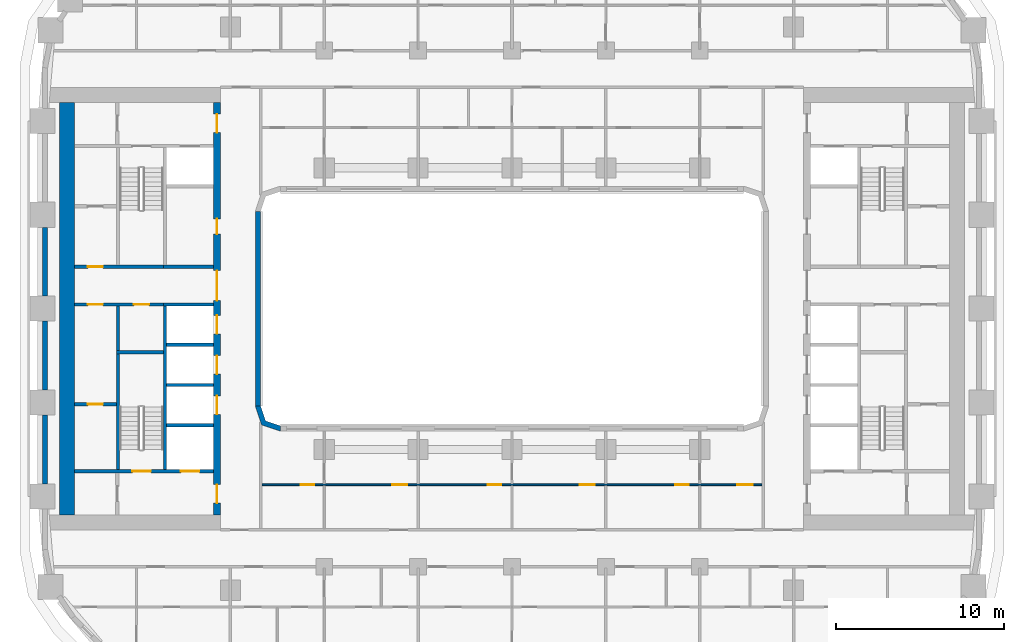
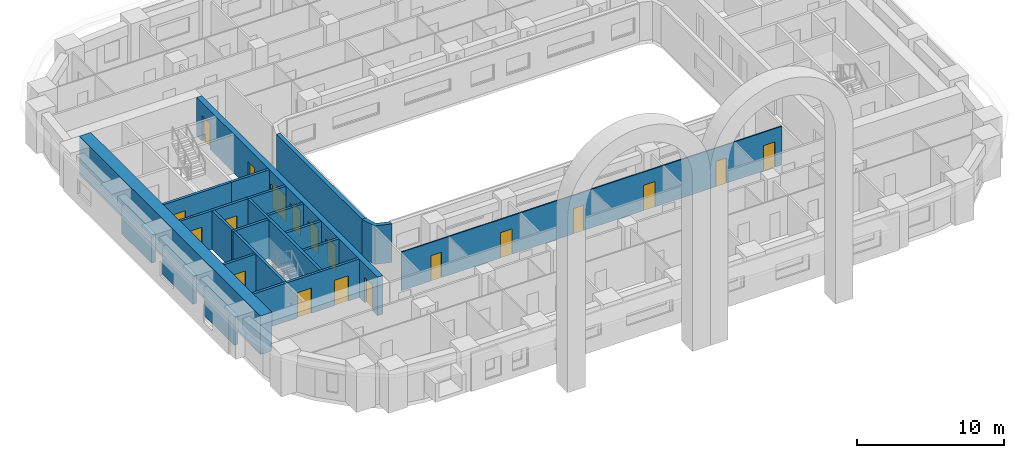
# One storey, part 4 of 21: 21 walls, 19 doors, 19 openings.
"""IFC4 building model written with IfcOpenShell, lengths in metres."""

from ifc_helpers import new_model, si_unit, direction, frame, frame_2d, origin, place, context, subcontext, project, spatial, polyline, rectangle, outline, extrude, material, layer, layer_set, type_object, element, fill, save


model = new_model("IFC4")

# Units and contexts
model_context = context("Model", 3, precision=1e-05, world=origin(), true_north=direction((0.0, 1.0)))
body_context = subcontext(model_context, "Body", "Model", "MODEL_VIEW")
ifc_project = project(units=[si_unit("LENGTHUNIT", "METRE"), si_unit("AREAUNIT", "SQUARE_METRE"), si_unit("VOLUMEUNIT", "CUBIC_METRE"), si_unit("PLANEANGLEUNIT", "RADIAN"), si_unit("MASSUNIT", "GRAM", prefix="KILO")], contexts=[model_context])

# Site, building, storey
site_placement = place(None, origin())
site = spatial("IfcSite", under=ifc_project, at=site_placement, CompositionType="ELEMENT")
building_placement = place(site_placement, origin())
building = spatial("IfcBuilding", under=site, at=building_placement, Name="Kiln Ring Residences", CompositionType="ELEMENT")
storey_placement = place(building_placement, frame((0.0, 0.0, 51.5)))
storey = spatial("IfcBuildingStorey", under=building, at=storey_placement, Name="L12", CompositionType="ELEMENT", Elevation=51.5)

# Wall
ifc_material_1 = material(Name="Gypsum board on steel studs", Category="steel")
ifc_layer_1 = layer(ifc_material_1, 0.199951171875)
ifc_layer_set_1 = layer_set([ifc_layer_1], Name="CORE-PARTITION-200")
wall_type_1 = type_object("IfcWallType", Name="CORE-PARTITION-200", PredefinedType="PARTITIONING", material=ifc_layer_set_1)
wall_1_placement = place(storey_placement, frame((-23.5, -2.5, 0.0), z_axis=(0.0, 0.0, 1.0), x_axis=(0.0, 1.0, 0.0)))
element("IfcWall", 1, at=wall_1_placement, inside=storey, type_object=wall_type_1, Name="Core partition west L12 1", PredefinedType="PARTITIONING", context=body_context, shape_type="SweptSolid", body=[
    extrude(rectangle(XDim=2.64990234375, YDim=0.199951171875, at=frame_2d((1.324951171875, 0.0))), origin(), (0.0, 0.0, 1.0), 3.199951171875),
])

# Wall, openings, doors
wall_2_placement = place(storey_placement, frame((-20.800048828125, 0.25, 0.0), z_axis=(0.0, 0.0, 1.0), x_axis=(-1.0, 0.0, 0.0)))
wall_2 = element("IfcWall", 2, at=wall_2_placement, inside=storey, type_object=wall_type_1, Name="Core partition west L12 2", PredefinedType="PARTITIONING", context=body_context, shape_type="SweptSolid", body=[
    extrude(rectangle(XDim=5.300048828125, YDim=0.199951171875, at=frame_2d((2.64990234375, 0.0))), origin(), (0.0, 0.0, 1.0), 3.199951171875),
])
opening_1_placement = place(wall_2_placement, frame((0.85009765625, 0.0, 0.0)))
opening_1 = element("IfcOpeningElement", 3, at=opening_1_placement, cuts=wall_2, Name="Opening L12-CW14", PredefinedType="OPENING", context=body_context, shape_type="SweptSolid", body=[
    extrude(rectangle(XDim=0.89990234375, YDim=2.10009765625, at=frame_2d((0.449951171875, 1.050048828125))), frame((0.0, 0.10986328125, 0.0), z_axis=(0.0, -1.0, 0.0), x_axis=(1.0, 0.0, 0.0)), (0.0, 0.0, 1.0), 0.219970703125),
])
opening_2_placement = place(wall_2_placement, frame((3.60009765625, 0.0, 0.0)))
opening_2 = element("IfcOpeningElement", 4, at=opening_2_placement, cuts=wall_2, Name="Opening L12-CW16", PredefinedType="OPENING", context=body_context, shape_type="SweptSolid", body=[
    extrude(rectangle(XDim=0.89990234375, YDim=2.10009765625, at=frame_2d((0.449951171875, 1.050048828125))), frame((0.0, 0.10986328125, 0.0), z_axis=(0.0, -1.0, 0.0), x_axis=(1.0, 0.0, 0.0)), (0.0, 0.0, 1.0), 0.219970703125),
])
ifc_material_2 = material(Name="Steel door leaf", Category="steel")
door_type_1 = type_object("IfcDoorType", Name="CORE-DOOR-ROOM", OperationType="SINGLE_SWING_LEFT", PredefinedType="DOOR", material=ifc_material_2)
door_1_placement = place(opening_1_placement, origin())
door_1 = element("IfcDoor", 5, at=door_1_placement, inside=storey, type_object=door_type_1, Name="Housekeeping store L12-CW14", OperationType="SINGLE_SWING_RIGHT", OverallHeight=2.10009765625, OverallWidth=0.89990234375, PredefinedType="DOOR", context=body_context, shape_type="SweptSolid", body=[
    extrude(rectangle(XDim=0.89990234375, YDim=2.10009765625, at=frame_2d((0.449951171875, 1.050048828125))), frame((0.0, 0.02490234375, 0.0), z_axis=(0.0, -1.0, 0.0), x_axis=(1.0, 0.0, 0.0)), (0.0, 0.0, 1.0), 0.050048828125),
])
fill(opening_1, door_1)
door_2_placement = place(opening_2_placement, origin())
door_2 = element("IfcDoor", 6, at=door_2_placement, inside=storey, type_object=door_type_1, Name="Battery room L12-CW16", OperationType="SINGLE_SWING_RIGHT", OverallHeight=2.10009765625, OverallWidth=0.89990234375, PredefinedType="DOOR", context=body_context, shape_type="SweptSolid", body=[
    extrude(rectangle(XDim=0.89990234375, YDim=2.10009765625, at=frame_2d((0.449951171875, 1.050048828125))), frame((0.0, 0.02490234375, 0.0), z_axis=(0.0, -1.0, 0.0), x_axis=(1.0, 0.0, 0.0)), (0.0, 0.0, 1.0), 0.050048828125),
])
fill(opening_2, door_2)

# Wall, opening, door
wall_3_placement = place(storey_placement, frame((-23.60009765625, -5.699951171875, 0.0), z_axis=(0.0, 0.0, 1.0), x_axis=(-1.0, 0.0, 0.0)))
wall_3 = element("IfcWall", 7, at=wall_3_placement, inside=storey, type_object=wall_type_1, Name="Core partition west L12 5", PredefinedType="PARTITIONING", context=body_context, shape_type="SweptSolid", body=[
    extrude(rectangle(XDim=2.5, YDim=0.199951171875, at=frame_2d((1.25, 0.0))), origin(), (0.0, 0.0, 1.0), 3.199951171875),
])
opening_3_placement = place(wall_3_placement, frame((0.800048828125, 0.0, 0.0)))
opening_3 = element("IfcOpeningElement", 8, at=opening_3_placement, cuts=wall_3, Name="Opening L12-CW15", PredefinedType="OPENING", context=body_context, shape_type="SweptSolid", body=[
    extrude(rectangle(XDim=0.89990234375, YDim=2.10009765625, at=frame_2d((0.449951171875, 1.050048828125))), frame((0.0, 0.10986328125, 0.0), z_axis=(0.0, -1.0, 0.0), x_axis=(1.0, 0.0, 0.0)), (0.0, 0.0, 1.0), 0.219970703125),
])
door_3_placement = place(opening_3_placement, origin())
door_3 = element("IfcDoor", 9, at=door_3_placement, inside=storey, type_object=door_type_1, Name="Battery room L12-CW15", OperationType="SINGLE_SWING_RIGHT", OverallHeight=2.10009765625, OverallWidth=0.89990234375, PredefinedType="DOOR", context=body_context, shape_type="SweptSolid", body=[
    extrude(rectangle(XDim=0.89990234375, YDim=2.10009765625, at=frame_2d((0.449951171875, 1.050048828125))), frame((0.0, 0.02490234375, 0.0), z_axis=(0.0, -1.0, 0.0), x_axis=(1.0, 0.0, 0.0)), (0.0, 0.0, 1.0), 0.050048828125),
])
fill(opening_3, door_3)

# Walls
ifc_material_3 = material(Name="Gypsum shaft wall system")
ifc_layer_2 = layer(ifc_material_3, 0.199951171875)
ifc_layer_set_2 = layer_set([ifc_layer_2], Name="CORE-SHAFT-WALL-200")
wall_type_2 = type_object("IfcWallType", Name="CORE-SHAFT-WALL-200", PredefinedType="PARTITIONING", material=ifc_layer_set_2)
for number, where, z_axis, x_axis, name in (
    (10, (-17.800048828125, -6.949951171875, 0.0), (0.0, 0.0, 1.0), (-1.0, 0.0, 0.0), "Core partition west L12 7"),
    (11, (-17.800048828125, -4.550048828125, 0.0), (0.0, 0.0, 1.0), (-1.0, 0.0, 0.0), "Core partition west L12 8"),
    (12, (-17.800048828125, -2.14990234375, 0.0), (0.0, 0.0, 1.0), (-1.0, 0.0, 0.0), "Core partition west L12 9"),
):
    element("IfcWall", number, at=place(storey_placement, frame(where, z_axis=z_axis, x_axis=x_axis)), inside=storey, type_object=wall_type_2, Name=name, PredefinedType="PARTITIONING", context=body_context, shape_type="SweptSolid", body=[
        extrude(rectangle(XDim=2.800048828125, YDim=0.199951171875, at=frame_2d((1.39990234375, 0.0))), origin(), (0.0, 0.0, 1.0), 3.199951171875),
    ])
for number, where, z_axis, x_axis, name in (
    (13, (-17.800048828125, 0.25, 0.0), (0.0, 0.0, 1.0), (-1.0, 0.0, 0.0), "Core partition west L12 10"),
    (14, (-17.800048828125, 2.5, 0.0), (0.0, 0.0, 1.0), (-1.0, 0.0, 0.0), "Core partition west L12 11"),
):
    element("IfcWall", number, at=place(storey_placement, frame(where, z_axis=z_axis, x_axis=x_axis)), inside=storey, type_object=wall_type_2, Name=name, PredefinedType="PARTITIONING", context=body_context, shape_type="SweptSolid", body=[
        extrude(rectangle(XDim=3.0, YDim=0.199951171875, at=frame_2d((1.5, 0.0))), origin(), (0.0, 0.0, 1.0), 3.199951171875),
    ])
ifc_material_4 = material(Name="Concrete C40/50", Category="concrete")
ifc_layer_3 = layer(ifc_material_4, 0.199951171875)
ifc_layer_set_3 = layer_set([ifc_layer_3], Name="CORE-WALL-RC200")
wall_type_3 = type_object("IfcWallType", Name="CORE-WALL-RC200", PredefinedType="SHEAR", material=ifc_layer_set_3)
wall_4_placement = place(storey_placement, frame((-20.699951171875, -9.60009765625, 0.0), z_axis=(0.0, 0.0, 1.0), x_axis=(0.0, 1.0, 0.0)))
element("IfcWall", 15, at=wall_4_placement, inside=storey, type_object=wall_type_3, Name="Core wall west L12 2", PredefinedType="SHEAR", context=body_context, shape_type="SweptSolid", body=[
    extrude(rectangle(XDim=9.75, YDim=0.199951171875, at=frame_2d((4.875, 0.0))), origin(), (0.0, 0.0, 1.0), 3.199951171875),
])

# Wall, opening, door
wall_5_placement = place(storey_placement, frame((-20.800048828125, 2.5, 0.0), z_axis=(0.0, 0.0, 1.0), x_axis=(-1.0, 0.0, 0.0)))
wall_5 = element("IfcWall", 16, at=wall_5_placement, inside=storey, type_object=wall_type_3, Name="Core wall west L12 3", PredefinedType="SHEAR", context=body_context, shape_type="SweptSolid", body=[
    extrude(rectangle(XDim=5.300048828125, YDim=0.199951171875, at=frame_2d((2.64990234375, 0.0))), origin(), (0.0, 0.0, 1.0), 3.199951171875),
])
opening_4_placement = place(wall_5_placement, frame((3.60009765625, 0.0, 0.0)))
opening_4 = element("IfcOpeningElement", 17, at=opening_4_placement, cuts=wall_5, Name="Opening L12-CW18", PredefinedType="OPENING", context=body_context, shape_type="SweptSolid", body=[
    extrude(rectangle(XDim=0.89990234375, YDim=2.10009765625, at=frame_2d((0.449951171875, 1.050048828125))), frame((0.0, 0.10986328125, 0.0), z_axis=(0.0, -1.0, 0.0), x_axis=(1.0, 0.0, 0.0)), (0.0, 0.0, 1.0), 0.219970703125),
])
door_4_placement = place(opening_4_placement, origin())
door_4 = element("IfcDoor", 18, at=door_4_placement, inside=storey, type_object=door_type_1, Name="Comms room L12-CW18", OperationType="SINGLE_SWING_LEFT", OverallHeight=2.10009765625, OverallWidth=0.89990234375, PredefinedType="DOOR", context=body_context, shape_type="SweptSolid", body=[
    extrude(rectangle(XDim=0.89990234375, YDim=2.10009765625, at=frame_2d((0.449951171875, 1.050048828125))), frame((0.0, 0.02490234375, 0.0), z_axis=(0.0, -1.0, 0.0), x_axis=(1.0, 0.0, 0.0)), (0.0, 0.0, 1.0), 0.050048828125),
])
fill(opening_4, door_4)

# Wall, openings, doors
wall_6_placement = place(storey_placement, frame((-17.800048828125, -9.699951171875, 0.0), z_axis=(0.0, 0.0, 1.0), x_axis=(-1.0, 0.0, 0.0)))
wall_6 = element("IfcWall", 19, at=wall_6_placement, inside=storey, type_object=wall_type_3, Name="Core wall west L12 8", PredefinedType="SHEAR", context=body_context, shape_type="SweptSolid", body=[
    extrude(rectangle(XDim=8.300048828125, YDim=0.199951171875, at=frame_2d((4.14990234375, 0.0))), origin(), (0.0, 0.0, 1.0), 3.199951171875),
])
opening_5_placement = place(wall_6_placement, frame((0.85009765625, 0.0, 0.0)))
opening_5 = element("IfcOpeningElement", 20, at=opening_5_placement, cuts=wall_6, Name="Opening L12-CW01", PredefinedType="OPENING", context=body_context, shape_type="SweptSolid", body=[
    extrude(rectangle(XDim=1.10009765625, YDim=2.10009765625, at=frame_2d((0.550048828125, 1.050048828125))), frame((0.0, 0.10986328125, 0.0), z_axis=(0.0, -1.0, 0.0), x_axis=(1.0, 0.0, 0.0)), (0.0, 0.0, 1.0), 0.219970703125),
])
opening_6_placement = place(wall_6_placement, frame((3.75, 0.0, 0.0)))
opening_6 = element("IfcOpeningElement", 21, at=opening_6_placement, cuts=wall_6, Name="Opening L12-CW12", PredefinedType="OPENING", context=body_context, shape_type="SweptSolid", body=[
    extrude(rectangle(XDim=1.10009765625, YDim=2.10009765625, at=frame_2d((0.550048828125, 1.050048828125))), frame((0.0, 0.10986328125, 0.0), z_axis=(0.0, -1.0, 0.0), x_axis=(1.0, 0.0, 0.0)), (0.0, 0.0, 1.0), 0.219970703125),
])
ifc_material_5 = material(Name="Steel door leaf", Category="steel")
door_type_2 = type_object("IfcDoorType", Name="CORE-DOOR-LD", OperationType="DOUBLE_DOOR_SLIDING", PredefinedType="DOOR", material=ifc_material_5)
door_5_placement = place(opening_5_placement, origin())
door_5 = element("IfcDoor", 22, at=door_5_placement, inside=storey, type_object=door_type_2, Name="LD W-SV L12-CW01", OperationType="DOUBLE_DOOR_SLIDING", OverallHeight=2.10009765625, OverallWidth=1.10009765625, PredefinedType="DOOR", context=body_context, shape_type="SweptSolid", body=[
    extrude(rectangle(XDim=1.10009765625, YDim=2.10009765625, at=frame_2d((0.550048828125, 1.050048828125))), frame((0.0, 0.02490234375, 0.0), z_axis=(0.0, -1.0, 0.0), x_axis=(1.0, 0.0, 0.0)), (0.0, 0.0, 1.0), 0.050048828125),
])
fill(opening_5, door_5)
ifc_material_6 = material(Name="Steel door leaf", Category="steel")
door_type_3 = type_object("IfcDoorType", Name="CORE-DOOR-STAIR", OperationType="SINGLE_SWING_LEFT", PredefinedType="DOOR", material=ifc_material_6)
door_6_placement = place(opening_6_placement, origin())
door_6 = element("IfcDoor", 23, at=door_6_placement, inside=storey, type_object=door_type_3, Name="Stair W-STS L12-CW12", OperationType="SINGLE_SWING_LEFT", OverallHeight=2.10009765625, OverallWidth=1.10009765625, PredefinedType="DOOR", context=body_context, shape_type="SweptSolid", body=[
    extrude(rectangle(XDim=1.10009765625, YDim=2.10009765625, at=frame_2d((0.550048828125, 1.050048828125))), frame((0.0, 0.02490234375, 0.0), z_axis=(0.0, -1.0, 0.0), x_axis=(1.0, 0.0, 0.0)), (0.0, 0.0, 1.0), 0.050048828125),
])
fill(opening_6, door_6)

# Walls
wall_7_placement = place(storey_placement, frame((-23.5, -9.60009765625, 0.0), z_axis=(0.0, 0.0, 1.0), x_axis=(0.0, 1.0, 0.0)))
element("IfcWall", 24, at=wall_7_placement, inside=storey, type_object=wall_type_3, Name="Core wall west L12 11", PredefinedType="SHEAR", context=body_context, shape_type="SweptSolid", body=[
    extrude(rectangle(XDim=6.900146484375, YDim=0.199951171875, at=frame_2d((3.4501953125, 0.0))), origin(), (0.0, 0.0, 1.0), 3.199951171875),
])
wall_8_placement = place(storey_placement, frame((-20.800048828125, -2.60009765625, 0.0), z_axis=(0.0, 0.0, 1.0), x_axis=(-1.0, 0.0, 0.0)))
element("IfcWall", 25, at=wall_8_placement, inside=storey, type_object=wall_type_3, Name="Core wall west L12 12", PredefinedType="SHEAR", context=body_context, shape_type="SweptSolid", body=[
    extrude(rectangle(XDim=2.800048828125, YDim=0.199951171875, at=frame_2d((1.39990234375, 0.0))), origin(), (0.0, 0.0, 1.0), 3.199951171875),
])

# Wall, openings, doors
ifc_material_7 = material(Name="Concrete C60/75", Category="concrete")
ifc_layer_4 = layer(ifc_material_7, 0.39990234375)
ifc_layer_set_4 = layer_set([ifc_layer_4], Name="CORE-WALL-RC400")
wall_type_4 = type_object("IfcWallType", Name="CORE-WALL-RC400", PredefinedType="SHEAR", material=ifc_layer_set_4)
wall_9_placement = place(storey_placement, frame((-17.60009765625, -12.300048828125, 0.0), z_axis=(0.0, 0.0, 1.0), x_axis=(0.0, 1.0, 0.0)))
wall_9 = element("IfcWall", 26, at=wall_9_placement, inside=storey, type_object=wall_type_4, Name="Core wall west L12 6", PredefinedType="SHEAR", context=body_context, shape_type="SweptSolid", body=[
    extrude(rectangle(XDim=24.60009765625, YDim=0.39990234375, at=frame_2d((12.300048828125, 0.0))), origin(), (0.0, 0.0, 1.0), 3.199951171875),
])
opening_7_placement = place(wall_9_placement, frame((6.0, 0.0, 0.0)))
opening_7 = element("IfcOpeningElement", 27, at=opening_7_placement, cuts=wall_9, Name="Opening L12-CW02", PredefinedType="OPENING", context=body_context, shape_type="SweptSolid", body=[
    extrude(rectangle(XDim=1.10009765625, YDim=2.10009765625, at=frame_2d((0.550048828125, 1.050048828125))), frame((0.0, 0.2099609375, 0.0), z_axis=(0.0, -1.0, 0.0), x_axis=(1.0, 0.0, 0.0)), (0.0, 0.0, 1.0), 0.419921875),
])
opening_8_placement = place(wall_9_placement, frame((8.39990234375, 0.0, 0.0)))
opening_8 = element("IfcOpeningElement", 28, at=opening_8_placement, cuts=wall_9, Name="Opening L12-CW03", PredefinedType="OPENING", context=body_context, shape_type="SweptSolid", body=[
    extrude(rectangle(XDim=1.10009765625, YDim=2.10009765625, at=frame_2d((0.550048828125, 1.050048828125))), frame((0.0, 0.2099609375, 0.0), z_axis=(0.0, -1.0, 0.0), x_axis=(1.0, 0.0, 0.0)), (0.0, 0.0, 1.0), 0.419921875),
])
opening_9_placement = place(wall_9_placement, frame((10.800048828125, 0.0, 0.0)))
opening_9 = element("IfcOpeningElement", 29, at=opening_9_placement, cuts=wall_9, Name="Opening L12-CW04", PredefinedType="OPENING", context=body_context, shape_type="SweptSolid", body=[
    extrude(rectangle(XDim=1.10009765625, YDim=2.10009765625, at=frame_2d((0.550048828125, 1.050048828125))), frame((0.0, 0.2099609375, 0.0), z_axis=(0.0, -1.0, 0.0), x_axis=(1.0, 0.0, 0.0)), (0.0, 0.0, 1.0), 0.419921875),
])
opening_10_placement = place(wall_9_placement, frame((16.75, 0.0, 0.0)))
opening_10 = element("IfcOpeningElement", 30, at=opening_10_placement, cuts=wall_9, Name="Opening L12-CW05", PredefinedType="OPENING", context=body_context, shape_type="SweptSolid", body=[
    extrude(rectangle(XDim=0.89990234375, YDim=2.10009765625, at=frame_2d((0.449951171875, 1.050048828125))), frame((0.0, 0.2099609375, 0.0), z_axis=(0.0, -1.0, 0.0), x_axis=(1.0, 0.0, 0.0)), (0.0, 0.0, 1.0), 0.419921875),
])
opening_11_placement = place(wall_9_placement, frame((22.800048828125, 0.0, 0.0)))
opening_11 = element("IfcOpeningElement", 31, at=opening_11_placement, cuts=wall_9, Name="Opening L12-CW07", PredefinedType="OPENING", context=body_context, shape_type="SweptSolid", body=[
    extrude(rectangle(XDim=1.10009765625, YDim=2.10009765625, at=frame_2d((0.550048828125, 1.050048828125))), frame((0.0, 0.2099609375, 0.0), z_axis=(0.0, -1.0, 0.0), x_axis=(1.0, 0.0, 0.0)), (0.0, 0.0, 1.0), 0.419921875),
])
opening_12_placement = place(wall_9_placement, frame((0.699951171875, 0.0, 0.0)))
opening_12 = element("IfcOpeningElement", 32, at=opening_12_placement, cuts=wall_9, Name="Opening L12-CW08", PredefinedType="OPENING", context=body_context, shape_type="SweptSolid", body=[
    extrude(rectangle(XDim=1.10009765625, YDim=2.10009765625, at=frame_2d((0.550048828125, 1.050048828125))), frame((0.0, 0.2099609375, 0.0), z_axis=(0.0, -1.0, 0.0), x_axis=(1.0, 0.0, 0.0)), (0.0, 0.0, 1.0), 0.419921875),
])
opening_13_placement = place(wall_9_placement, frame((12.77490234375, 0.0, 0.0)))
opening_13 = element("IfcOpeningElement", 33, at=opening_13_placement, cuts=wall_9, Name="Opening L12-CW13", PredefinedType="OPENING", context=body_context, shape_type="SweptSolid", body=[
    extrude(rectangle(XDim=1.800048828125, YDim=2.10009765625, at=frame_2d((0.89990234375, 1.050048828125))), frame((0.0, 0.2099609375, 0.0), z_axis=(0.0, -1.0, 0.0), x_axis=(1.0, 0.0, 0.0)), (0.0, 0.0, 1.0), 0.419921875),
])
door_7_placement = place(opening_7_placement, origin())
door_7 = element("IfcDoor", 34, at=door_7_placement, inside=storey, type_object=door_type_2, Name="LD W-L1 L12-CW02", OperationType="DOUBLE_DOOR_SLIDING", OverallHeight=2.10009765625, OverallWidth=1.10009765625, PredefinedType="DOOR", context=body_context, shape_type="SweptSolid", body=[
    extrude(rectangle(XDim=1.10009765625, YDim=2.10009765625, at=frame_2d((0.550048828125, 1.050048828125))), frame((0.0, 0.02490234375, 0.0), z_axis=(0.0, -1.0, 0.0), x_axis=(1.0, 0.0, 0.0)), (0.0, 0.0, 1.0), 0.050048828125),
])
fill(opening_7, door_7)
door_8_placement = place(opening_8_placement, origin())
door_8 = element("IfcDoor", 35, at=door_8_placement, inside=storey, type_object=door_type_2, Name="LD W-L2 L12-CW03", OperationType="DOUBLE_DOOR_SLIDING", OverallHeight=2.10009765625, OverallWidth=1.10009765625, PredefinedType="DOOR", context=body_context, shape_type="SweptSolid", body=[
    extrude(rectangle(XDim=1.10009765625, YDim=2.10009765625, at=frame_2d((0.550048828125, 1.050048828125))), frame((0.0, 0.02490234375, 0.0), z_axis=(0.0, -1.0, 0.0), x_axis=(1.0, 0.0, 0.0)), (0.0, 0.0, 1.0), 0.050048828125),
])
fill(opening_8, door_8)
door_9_placement = place(opening_9_placement, origin())
door_9 = element("IfcDoor", 36, at=door_9_placement, inside=storey, type_object=door_type_2, Name="LD W-L3 L12-CW04", OperationType="DOUBLE_DOOR_SLIDING", OverallHeight=2.10009765625, OverallWidth=1.10009765625, PredefinedType="DOOR", context=body_context, shape_type="SweptSolid", body=[
    extrude(rectangle(XDim=1.10009765625, YDim=2.10009765625, at=frame_2d((0.550048828125, 1.050048828125))), frame((0.0, 0.02490234375, 0.0), z_axis=(0.0, -1.0, 0.0), x_axis=(1.0, 0.0, 0.0)), (0.0, 0.0, 1.0), 0.050048828125),
])
fill(opening_9, door_9)
ifc_material_8 = material(Name="Steel door leaf", Category="steel")
door_type_4 = type_object("IfcDoorType", Name="CORE-DOOR-LOBBY", OperationType="SINGLE_SWING_LEFT", PredefinedType="DOOR", material=ifc_material_8)
door_10_placement = place(opening_11_placement, origin())
door_10 = element("IfcDoor", 37, at=door_10_placement, inside=storey, type_object=door_type_4, Name="FFL L12-CW07", OperationType="SINGLE_SWING_RIGHT", OverallHeight=2.10009765625, OverallWidth=1.10009765625, PredefinedType="DOOR", context=body_context, shape_type="SweptSolid", body=[
    extrude(rectangle(XDim=1.10009765625, YDim=2.10009765625, at=frame_2d((0.550048828125, 1.050048828125))), frame((0.0, 0.02490234375, 0.0), z_axis=(0.0, -1.0, 0.0), x_axis=(1.0, 0.0, 0.0)), (0.0, 0.0, 1.0), 0.050048828125),
])
fill(opening_11, door_10)
door_11_placement = place(opening_12_placement, origin())
door_11 = element("IfcDoor", 38, at=door_11_placement, inside=storey, type_object=door_type_4, Name="SVL L12-CW08", OperationType="SINGLE_SWING_LEFT", OverallHeight=2.10009765625, OverallWidth=1.10009765625, PredefinedType="DOOR", context=body_context, shape_type="SweptSolid", body=[
    extrude(rectangle(XDim=1.10009765625, YDim=2.10009765625, at=frame_2d((0.550048828125, 1.050048828125))), frame((0.0, 0.02490234375, 0.0), z_axis=(0.0, -1.0, 0.0), x_axis=(1.0, 0.0, 0.0)), (0.0, 0.0, 1.0), 0.050048828125),
])
fill(opening_12, door_11)
ifc_material_9 = material(Name="Steel door leaf", Category="steel")
door_type_5 = type_object("IfcDoorType", Name="CORE-DOOR-PASS", OperationType="DOUBLE_DOOR_SINGLE_SWING", PredefinedType="DOOR", material=ifc_material_9)
door_12_placement = place(opening_13_placement, origin())
door_12 = element("IfcDoor", 39, at=door_12_placement, inside=storey, type_object=door_type_5, Name="Core passage L12-CW13", OperationType="DOUBLE_DOOR_SINGLE_SWING", OverallHeight=2.10009765625, OverallWidth=1.800048828125, PredefinedType="DOOR", context=body_context, shape_type="SweptSolid", body=[
    extrude(rectangle(XDim=1.800048828125, YDim=2.10009765625, at=frame_2d((0.89990234375, 1.050048828125))), frame((0.0, 0.02490234375, 0.0), z_axis=(0.0, -1.0, 0.0), x_axis=(1.0, 0.0, 0.0)), (0.0, 0.0, 1.0), 0.050048828125),
])
fill(opening_13, door_12)
door_13_placement = place(opening_10_placement, origin())
door_13 = element("IfcDoor", 40, at=door_13_placement, inside=storey, type_object=door_type_1, Name="Locker store L12-CW05", OperationType="SINGLE_SWING_LEFT", OverallHeight=2.10009765625, OverallWidth=0.89990234375, PredefinedType="DOOR", context=body_context, shape_type="SweptSolid", body=[
    extrude(rectangle(XDim=0.89990234375, YDim=2.10009765625, at=frame_2d((0.449951171875, 1.050048828125))), frame((0.0, 0.02490234375, 0.0), z_axis=(0.0, -1.0, 0.0), x_axis=(1.0, 0.0, 0.0)), (0.0, 0.0, 1.0), 0.050048828125),
])
fill(opening_10, door_13)

# Walls
ifc_material_10 = material(Name="Concrete C60/75", Category="concrete")
ifc_layer_5 = layer(ifc_material_10, 0.89990234375)
ifc_layer_set_5 = layer_set([ifc_layer_5], Name="CORE-WALL-RC900")
wall_type_5 = type_object("IfcWallType", Name="CORE-WALL-RC900", PredefinedType="SHEAR", material=ifc_layer_set_5)
wall_10_placement = place(storey_placement, frame((-26.550048828125, -12.300048828125, 0.0), z_axis=(0.0, 0.0, 1.0), x_axis=(0.0, 1.0, 0.0)))
element("IfcWall", 41, at=wall_10_placement, inside=storey, type_object=wall_type_5, Name="Core wall west L12 7", PredefinedType="SHEAR", context=body_context, shape_type="SweptSolid", body=[
    extrude(rectangle(XDim=24.60009765625, YDim=0.89990234375, at=frame_2d((12.300048828125, 0.0))), origin(), (0.0, 0.0, 1.0), 3.199951171875),
])
ifc_material_11 = material(Name="Brick masonry, dark clay brick", Category="masonry")
ifc_layer_6 = layer(ifc_material_11, 0.300048828125)
ifc_layer_set_6 = layer_set([ifc_layer_6], Name="EW-300 BRICK WALL")
wall_type_6 = type_object("IfcWallType", Name="EW-300 BRICK WALL", PredefinedType="SOLIDWALL", material=ifc_layer_set_6)
for number, where, z_axis, x_axis, name in (
    (42, (-27.85009765625, 4.85009765625, 0.0), (0.0, 0.0, 1.0), (0.0, -1.0, 0.0), "Facade wall L12 43"),
    (43, (-27.85009765625, -0.75, 0.0), (0.0, 0.0, 1.0), (0.0, -1.0, 0.0), "Facade wall L12 44"),
):
    element("IfcWall", number, at=place(storey_placement, frame(where, z_axis=z_axis, x_axis=x_axis)), inside=storey, type_object=wall_type_6, Name=name, PredefinedType="SOLIDWALL", context=body_context, shape_type="SweptSolid", body=[
        extrude(rectangle(XDim=4.10009765625, YDim=0.300048828125, at=frame_2d((2.050048828125, 0.0))), origin(), (0.0, 0.0, 1.0), 2.35009765625),
    ])
wall_11_placement = place(storey_placement, frame((-27.85009765625, -6.35009765625, 0.0), z_axis=(0.0, 0.0, 1.0), x_axis=(0.0, -1.0, 0.0)))
element("IfcWall", 44, at=wall_11_placement, inside=storey, type_object=wall_type_6, Name="Facade wall L12 45", PredefinedType="SOLIDWALL", context=body_context, shape_type="SweptSolid", body=[
    extrude(rectangle(XDim=4.099853515625, YDim=0.300048828125, at=frame_2d((2.0498046875, 0.0))), origin(), (0.0, 0.0, 1.0), 2.35009765625),
])
wall_12_placement = place(storey_placement, frame((-15.14990234375, -5.800048828125, 0.0), z_axis=(0.0, 0.0, 1.0), x_axis=(0.0, 1.0, 0.0)))
element("IfcWall", 45, at=wall_12_placement, inside=storey, type_object=wall_type_6, Name="Facade wall L12 49", PredefinedType="SOLIDWALL", context=body_context, shape_type="SweptSolid", body=[
    extrude(rectangle(XDim=11.60009765625, YDim=0.300048828125, at=frame_2d((5.800048828125, 0.0))), origin(), (0.0, 0.0, 1.0), 3.199951171875),
])
wall_13_placement = place(storey_placement, origin())
element("IfcWall", 46, at=wall_13_placement, inside=storey, type_object=wall_type_6, Name="Corner wall L12 4", PredefinedType="SOLIDWALL", context=body_context, shape_type="SweptSolid", body=[
    extrude(outline(polyline([(-14.937255859375, -6.937255859375), (-13.8486328125, -7.300048828125), (-13.800048828125, -7.300048828125), (-13.800048828125, -7.0), (-14.699951171875, -6.699951171875), (-15.0, -5.800048828125), (-15.300048828125, -5.800048828125), (-15.300048828125, -5.8486328125), (-14.937255859375, -6.937255859375)])), origin(), (0.0, 0.0, 1.0), 3.199951171875),
])

# Wall, openings, doors
ifc_material_12 = material(Name="Gypsum board on steel studs", Category="steel")
ifc_layer_7 = layer(ifc_material_12, 0.10009765625)
ifc_layer_set_7 = layer_set([ifc_layer_7], Name="PARTITION-100")
wall_type_7 = type_object("IfcWallType", Name="PARTITION-100", PredefinedType="PARTITIONING", material=ifc_layer_set_7)
wall_14_placement = place(storey_placement, frame((-14.925048828125, -10.5, 0.0), z_axis=(0.0, 0.0, 1.0), x_axis=(1.0, 0.0, 0.0)))
wall_14 = element("IfcWall", 47, at=wall_14_placement, inside=storey, type_object=wall_type_7, Name="Partition 003", PredefinedType="PARTITIONING", context=body_context, shape_type="SweptSolid", body=[
    extrude(rectangle(XDim=29.85009765625, YDim=0.10009765625, at=frame_2d((14.925048828125, 0.0))), origin(), (0.0, 0.0, 1.0), 3.199951171875),
])
opening_14_placement = place(wall_14_placement, frame((2.324951171875, 0.0, 0.0)))
opening_14 = element("IfcOpeningElement", 48, at=opening_14_placement, cuts=wall_14, Name="Opening L12-D042", PredefinedType="OPENING", context=body_context, shape_type="SweptSolid", body=[
    extrude(rectangle(XDim=0.800048828125, YDim=2.10009765625, at=frame_2d((0.39990234375, 1.050048828125))), frame((0.0, 0.06005859375, 0.0), z_axis=(0.0, -1.0, 0.0), x_axis=(1.0, 0.0, 0.0)), (0.0, 0.0, 1.0), 0.1201171875),
])
opening_15_placement = place(wall_14_placement, frame((7.77490234375, 0.0, 0.0)))
opening_15 = element("IfcOpeningElement", 49, at=opening_15_placement, cuts=wall_14, Name="Opening L12-D043", PredefinedType="OPENING", context=body_context, shape_type="SweptSolid", body=[
    extrude(rectangle(XDim=0.89990234375, YDim=2.10009765625, at=frame_2d((0.449951171875, 1.050048828125))), frame((0.0, 0.06005859375, 0.0), z_axis=(0.0, -1.0, 0.0), x_axis=(1.0, 0.0, 0.0)), (0.0, 0.0, 1.0), 0.1201171875),
])
opening_16_placement = place(wall_14_placement, frame((13.47509765625, 0.0, 0.0)))
opening_16 = element("IfcOpeningElement", 50, at=opening_16_placement, cuts=wall_14, Name="Opening L12-D046", PredefinedType="OPENING", context=body_context, shape_type="SweptSolid", body=[
    extrude(rectangle(XDim=0.800048828125, YDim=2.10009765625, at=frame_2d((0.39990234375, 1.050048828125))), frame((0.0, 0.06005859375, 0.0), z_axis=(0.0, -1.0, 0.0), x_axis=(1.0, 0.0, 0.0)), (0.0, 0.0, 1.0), 0.1201171875),
])
opening_17_placement = place(wall_14_placement, frame((18.97509765625, 0.0, 0.0)))
opening_17 = element("IfcOpeningElement", 51, at=opening_17_placement, cuts=wall_14, Name="Opening L12-D047", PredefinedType="OPENING", context=body_context, shape_type="SweptSolid", body=[
    extrude(rectangle(XDim=0.89990234375, YDim=2.10009765625, at=frame_2d((0.449951171875, 1.050048828125))), frame((0.0, 0.06005859375, 0.0), z_axis=(0.0, -1.0, 0.0), x_axis=(1.0, 0.0, 0.0)), (0.0, 0.0, 1.0), 0.1201171875),
])
opening_18_placement = place(wall_14_placement, frame((24.675048828125, 0.0, 0.0)))
opening_18 = element("IfcOpeningElement", 52, at=opening_18_placement, cuts=wall_14, Name="Opening L12-D050", PredefinedType="OPENING", context=body_context, shape_type="SweptSolid", body=[
    extrude(rectangle(XDim=0.800048828125, YDim=2.10009765625, at=frame_2d((0.39990234375, 1.050048828125))), frame((0.0, 0.06005859375, 0.0), z_axis=(0.0, -1.0, 0.0), x_axis=(1.0, 0.0, 0.0)), (0.0, 0.0, 1.0), 0.1201171875),
])
opening_19_placement = place(wall_14_placement, frame((28.375, 0.0, 0.0)))
opening_19 = element("IfcOpeningElement", 53, at=opening_19_placement, cuts=wall_14, Name="Opening L12-D051", PredefinedType="OPENING", context=body_context, shape_type="SweptSolid", body=[
    extrude(rectangle(XDim=0.89990234375, YDim=2.10009765625, at=frame_2d((0.449951171875, 1.050048828125))), frame((0.0, 0.06005859375, 0.0), z_axis=(0.0, -1.0, 0.0), x_axis=(1.0, 0.0, 0.0)), (0.0, 0.0, 1.0), 0.1201171875),
])
ifc_material_13 = material(Name="Timber door leaf", Category="wood")
door_type_6 = type_object("IfcDoorType", Name="FLAT-DOOR-800-PL", OperationType="SINGLE_SWING_LEFT", PredefinedType="DOOR", material=ifc_material_13)
door_14_placement = place(opening_14_placement, origin())
door_14 = element("IfcDoor", 54, at=door_14_placement, inside=storey, type_object=door_type_6, Name="Door L12-D042", OperationType="SINGLE_SWING_RIGHT", OverallHeight=2.10009765625, OverallWidth=0.800048828125, PredefinedType="DOOR", context=body_context, shape_type="SweptSolid", body=[
    extrude(rectangle(XDim=0.800048828125, YDim=2.10009765625, at=frame_2d((0.39990234375, 1.050048828125))), frame((0.0, 0.02490234375, 0.0), z_axis=(0.0, -1.0, 0.0), x_axis=(1.0, 0.0, 0.0)), (0.0, 0.0, 1.0), 0.050048828125),
])
fill(opening_14, door_14)
door_15_placement = place(opening_16_placement, origin())
door_15 = element("IfcDoor", 55, at=door_15_placement, inside=storey, type_object=door_type_6, Name="Door L12-D046", OperationType="SINGLE_SWING_RIGHT", OverallHeight=2.10009765625, OverallWidth=0.800048828125, PredefinedType="DOOR", context=body_context, shape_type="SweptSolid", body=[
    extrude(rectangle(XDim=0.800048828125, YDim=2.10009765625, at=frame_2d((0.39990234375, 1.050048828125))), frame((0.0, 0.02490234375, 0.0), z_axis=(0.0, -1.0, 0.0), x_axis=(1.0, 0.0, 0.0)), (0.0, 0.0, 1.0), 0.050048828125),
])
fill(opening_16, door_15)
door_16_placement = place(opening_18_placement, origin())
door_16 = element("IfcDoor", 56, at=door_16_placement, inside=storey, type_object=door_type_6, Name="Door L12-D050", OperationType="SINGLE_SWING_RIGHT", OverallHeight=2.10009765625, OverallWidth=0.800048828125, PredefinedType="DOOR", context=body_context, shape_type="SweptSolid", body=[
    extrude(rectangle(XDim=0.800048828125, YDim=2.10009765625, at=frame_2d((0.39990234375, 1.050048828125))), frame((0.0, 0.02490234375, 0.0), z_axis=(0.0, -1.0, 0.0), x_axis=(1.0, 0.0, 0.0)), (0.0, 0.0, 1.0), 0.050048828125),
])
fill(opening_18, door_16)
ifc_material_14 = material(Name="Timber door leaf", Category="wood")
door_type_7 = type_object("IfcDoorType", Name="FLAT-DOOR-900-PL", OperationType="SINGLE_SWING_LEFT", PredefinedType="DOOR", material=ifc_material_14)
door_17_placement = place(opening_15_placement, origin())
door_17 = element("IfcDoor", 57, at=door_17_placement, inside=storey, type_object=door_type_7, Name="Door L12-D043", OperationType="SINGLE_SWING_LEFT", OverallHeight=2.10009765625, OverallWidth=0.89990234375, PredefinedType="DOOR", context=body_context, shape_type="SweptSolid", body=[
    extrude(rectangle(XDim=0.89990234375, YDim=2.10009765625, at=frame_2d((0.449951171875, 1.050048828125))), frame((0.0, 0.02490234375, 0.0), z_axis=(0.0, -1.0, 0.0), x_axis=(1.0, 0.0, 0.0)), (0.0, 0.0, 1.0), 0.050048828125),
])
fill(opening_15, door_17)
door_18_placement = place(opening_17_placement, origin())
door_18 = element("IfcDoor", 58, at=door_18_placement, inside=storey, type_object=door_type_7, Name="Door L12-D047", OperationType="SINGLE_SWING_LEFT", OverallHeight=2.10009765625, OverallWidth=0.89990234375, PredefinedType="DOOR", context=body_context, shape_type="SweptSolid", body=[
    extrude(rectangle(XDim=0.89990234375, YDim=2.10009765625, at=frame_2d((0.449951171875, 1.050048828125))), frame((0.0, 0.02490234375, 0.0), z_axis=(0.0, -1.0, 0.0), x_axis=(1.0, 0.0, 0.0)), (0.0, 0.0, 1.0), 0.050048828125),
])
fill(opening_17, door_18)
door_19_placement = place(opening_19_placement, origin())
door_19 = element("IfcDoor", 59, at=door_19_placement, inside=storey, type_object=door_type_7, Name="Door L12-D051", OperationType="SINGLE_SWING_LEFT", OverallHeight=2.10009765625, OverallWidth=0.89990234375, PredefinedType="DOOR", context=body_context, shape_type="SweptSolid", body=[
    extrude(rectangle(XDim=0.89990234375, YDim=2.10009765625, at=frame_2d((0.449951171875, 1.050048828125))), frame((0.0, 0.02490234375, 0.0), z_axis=(0.0, -1.0, 0.0), x_axis=(1.0, 0.0, 0.0)), (0.0, 0.0, 1.0), 0.050048828125),
])
fill(opening_19, door_19)

save(model, "model.ifc")
